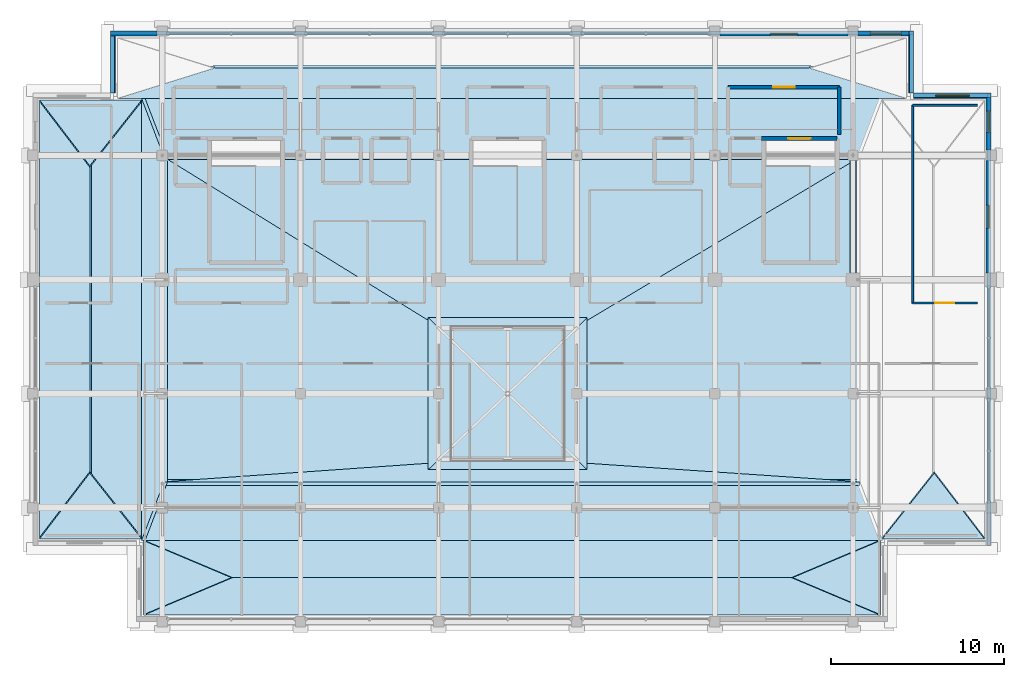
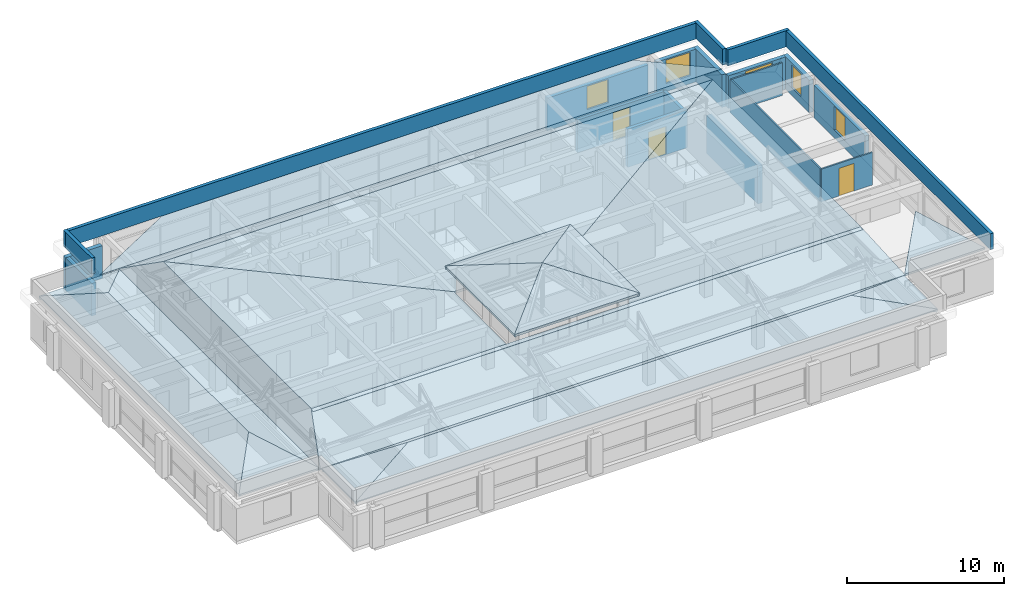
# One storey, part 37 of 39: 21 roofs, 20 walls, 5 windows, 3 doors, 8 openings.
"""IFC4 building model written with IfcOpenShell, lengths in metres."""

from ifc_helpers import new_model, si_unit, direction, frame, frame_2d, origin, place, context, subcontext, project, spatial, polyline, rectangle, outline, extrude, material, layer, layer_set, type_object, element, fill, save


model = new_model("IFC4")

# Units and contexts
model_context = context("Model", 3, precision=1e-05, world=origin(), true_north=direction((0.0, 1.0)))
body_context = subcontext(model_context, "Body", "Model", "MODEL_VIEW")
ifc_project = project(units=[si_unit("LENGTHUNIT", "METRE"), si_unit("AREAUNIT", "SQUARE_METRE"), si_unit("VOLUMEUNIT", "CUBIC_METRE"), si_unit("PLANEANGLEUNIT", "RADIAN"), si_unit("MASSUNIT", "GRAM", prefix="KILO")], contexts=[model_context])

# Site, building, storey
site_placement = place(None, origin())
site = spatial("IfcSite", under=ifc_project, at=site_placement, CompositionType="ELEMENT")
building_placement = place(site_placement, origin())
building = spatial("IfcBuilding", under=site, at=building_placement, Name="Akrevak Sports Hall", CompositionType="ELEMENT")
storey_placement = place(building_placement, frame((0.0, 0.0, 66.550048828125)))
storey = spatial("IfcBuildingStorey", under=building, at=storey_placement, Name="L17", CompositionType="ELEMENT", Elevation=66.550048828125)

# Wall, opening, window
ifc_material_1 = material(Name="Limestone Ashlar", Category="stone")
ifc_layer_1 = layer(ifc_material_1, 0.06005859375, Name="Limestone Ashlar")
ifc_material_2 = material(Name="Mineral Wool Thermal Insulation", Category="insulation")
ifc_layer_2 = layer(ifc_material_2, 0.090087890625, Name="Mineral Wool Thermal Insulation")
ifc_material_3 = material(Name="Concrete C40/50", Category="concrete")
ifc_layer_3 = layer(ifc_material_3, 0.14990234375, Name="Concrete C40/50")
ifc_layer_set_1 = layer_set([ifc_layer_1, ifc_layer_2, ifc_layer_3], Name="Limestone Ashlar / Mineral Wool Thermal Insulation / Concrete C40/50")
wall_type_1 = type_object("IfcWallType", Name="ARC-WL-EXT-300", PredefinedType="SOLIDWALL", material=ifc_layer_set_1)
wall_1_placement = place(storey_placement, frame((107.85009765625, 55.60009765625, 0.0), z_axis=(0.0, 0.0, 1.0), x_axis=(0.0, 1.0, 0.0)))
wall_1 = element("IfcWall", 1, at=wall_1_placement, inside=storey, type_object=wall_type_1, Name="Tower Stone Facade Wall L17-E13", PredefinedType="SOLIDWALL", context=body_context, shape_type="SweptSolid", body=[
    extrude(rectangle(XDim=6.5, YDim=0.300048828125, at=frame_2d((3.25, 0.0))), origin(), (0.0, 0.0, 1.0), 2.530029296875),
])
opening_1_placement = place(wall_1_placement, frame((2.574951171875, 0.0, 0.6201171875)))
opening_1 = element("IfcOpeningElement", 2, at=opening_1_placement, cuts=wall_1, Name="Opening WN-19", PredefinedType="OPENING", context=body_context, shape_type="SweptSolid", body=[
    extrude(rectangle(XDim=1.35009765625, YDim=1.800048828125, at=frame_2d((0.675048828125, 0.89990234375))), frame((0.0, 0.162109375, 0.0), z_axis=(0.0, -1.0, 0.0), x_axis=(1.0, 0.0, 0.0)), (0.0, 0.0, 1.0), 0.323974609375),
])
ifc_material_4 = material(Name="Thermally Broken Bronze Frame & Double Low-E Glass", Category="glass")
window_type_1 = type_object("IfcWindowType", Name="ARC-WIN-TW-135x180", PartitioningType="SINGLE_PANEL", PredefinedType="WINDOW", material=ifc_material_4)
window_1_placement = place(opening_1_placement, origin())
window_1 = element("IfcWindow", 3, at=window_1_placement, inside=storey, type_object=window_type_1, Name="Tower Window L17-E13", OverallHeight=1.800048828125, OverallWidth=1.35009765625, PartitioningType="SINGLE_PANEL", PredefinedType="WINDOW", context=body_context, shape_type="SweptSolid", body=[
    extrude(rectangle(XDim=1.35009765625, YDim=1.800048828125, at=frame_2d((0.675048828125, 0.89990234375))), frame((0.0, 0.030029296875, 0.0), z_axis=(0.0, -1.0, 0.0), x_axis=(1.0, 0.0, 0.0)), (0.0, 0.0, 1.0), 0.06005859375),
])
fill(opening_1, window_1)

wall_2_placement = place(storey_placement, frame((107.85009765625, 62.699951171875, 0.0), z_axis=(0.0, 0.0, 1.0), x_axis=(0.0, 1.0, 0.0)))
wall_2 = element("IfcWall", 4, at=wall_2_placement, inside=storey, type_object=wall_type_1, Name="Tower Stone Facade Wall L17-E14", PredefinedType="SOLIDWALL", context=body_context, shape_type="SweptSolid", body=[
    extrude(rectangle(XDim=3.300048828125, YDim=0.300048828125, at=frame_2d((1.64990234375, 0.0))), origin(), (0.0, 0.0, 1.0), 2.530029296875),
])
opening_2_placement = place(wall_2_placement, frame((1.02490234375, 0.0, 0.6201171875)))
opening_2 = element("IfcOpeningElement", 5, at=opening_2_placement, cuts=wall_2, Name="Opening WN-20", PredefinedType="OPENING", context=body_context, shape_type="SweptSolid", body=[
    extrude(rectangle(XDim=1.25, YDim=1.75, at=frame_2d((0.625, 0.875))), frame((0.0, 0.162109375, 0.0), z_axis=(0.0, -1.0, 0.0), x_axis=(1.0, 0.0, 0.0)), (0.0, 0.0, 1.0), 0.323974609375),
])
window_type_2 = type_object("IfcWindowType", Name="ARC-WIN-TW-125x175", PartitioningType="SINGLE_PANEL", PredefinedType="WINDOW", material=ifc_material_4)
window_2_placement = place(opening_2_placement, origin())
window_2 = element("IfcWindow", 6, at=window_2_placement, inside=storey, type_object=window_type_2, Name="Tower Window L17-E14", OverallHeight=1.75, OverallWidth=1.25, PartitioningType="SINGLE_PANEL", PredefinedType="WINDOW", context=body_context, shape_type="SweptSolid", body=[
    extrude(rectangle(XDim=1.25, YDim=1.75, at=frame_2d((0.625, 0.875))), frame((0.0, 0.030029296875, 0.0), z_axis=(0.0, -1.0, 0.0), x_axis=(1.0, 0.0, 0.0)), (0.0, 0.0, 1.0), 0.06005859375),
])
fill(opening_2, window_2)

wall_3_placement = place(storey_placement, frame((108.0, 65.85009765625, 0.0), z_axis=(0.0, 0.0, 1.0), x_axis=(-1.0, 0.0, 0.0)))
wall_3 = element("IfcWall", 7, at=wall_3_placement, inside=storey, type_object=wall_type_1, Name="Tower Stone Facade Wall L17-N15", PredefinedType="SOLIDWALL", context=body_context, shape_type="SweptSolid", body=[
    extrude(rectangle(XDim=4.5, YDim=0.300048828125, at=frame_2d((2.25, 0.0))), origin(), (0.0, 0.0, 1.0), 2.530029296875),
])
opening_3_placement = place(wall_3_placement, frame((1.27490234375, 0.0, 0.6201171875)))
opening_3 = element("IfcOpeningElement", 8, at=opening_3_placement, cuts=wall_3, Name="Opening WN-52", PredefinedType="OPENING", context=body_context, shape_type="SweptSolid", body=[
    extrude(rectangle(XDim=1.949951171875, YDim=1.81005859375, at=frame_2d((0.97509765625, 0.905029296875))), frame((0.0, 0.162109375, 0.0), z_axis=(0.0, -1.0, 0.0), x_axis=(1.0, 0.0, 0.0)), (0.0, 0.0, 1.0), 0.323974609375),
])
window_type_3 = type_object("IfcWindowType", Name="ARC-WIN-SZ-1950x1810", PartitioningType="SINGLE_PANEL", PredefinedType="WINDOW", material=ifc_material_4)
window_3_placement = place(opening_3_placement, origin())
window_3 = element("IfcWindow", 9, at=window_3_placement, inside=storey, type_object=window_type_3, Name="Tower Window L17-N15", OverallHeight=1.81005859375, OverallWidth=1.949951171875, PartitioningType="SINGLE_PANEL", PredefinedType="WINDOW", context=body_context, shape_type="SweptSolid", body=[
    extrude(rectangle(XDim=1.949951171875, YDim=1.81005859375, at=frame_2d((0.97509765625, 0.905029296875))), frame((0.0, 0.030029296875, 0.0), z_axis=(0.0, -1.0, 0.0), x_axis=(1.0, 0.0, 0.0)), (0.0, 0.0, 1.0), 0.06005859375),
])
fill(opening_3, window_3)

# Wall
wall_4_placement = place(storey_placement, frame((103.35009765625, 66.0, 0.0), z_axis=(0.0, 0.0, 1.0), x_axis=(0.0, 1.0, 0.0)))
element("IfcWall", 10, at=wall_4_placement, inside=storey, type_object=wall_type_1, Name="Tower Stone Facade Wall L17-E16", PredefinedType="SOLIDWALL", context=body_context, shape_type="SweptSolid", body=[
    extrude(rectangle(XDim=3.60009765625, YDim=0.300048828125, at=frame_2d((1.800048828125, 0.0))), origin(), (0.0, 0.0, 1.0), 2.530029296875),
])

# Wall, opening, window
wall_5_placement = place(storey_placement, frame((103.5, 69.449951171875, 0.0), z_axis=(0.0, 0.0, 1.0), x_axis=(-1.0, 0.0, 0.0)))
wall_5 = element("IfcWall", 11, at=wall_5_placement, inside=storey, type_object=wall_type_1, Name="Tower Stone Facade Wall L17-N17", PredefinedType="SOLIDWALL", context=body_context, shape_type="SweptSolid", body=[
    extrude(rectangle(XDim=3.199951171875, YDim=0.300048828125, at=frame_2d((1.60009765625, 0.0))), origin(), (0.0, 0.0, 1.0), 2.530029296875),
])
opening_4_placement = place(wall_5_placement, frame((0.699951171875, 0.0, 0.6201171875)))
opening_4 = element("IfcOpeningElement", 12, at=opening_4_placement, cuts=wall_5, Name="Opening WN-54", PredefinedType="OPENING", context=body_context, shape_type="SweptSolid", body=[
    extrude(rectangle(XDim=1.800048828125, YDim=1.81005859375, at=frame_2d((0.89990234375, 0.905029296875))), frame((0.0, 0.162109375, 0.0), z_axis=(0.0, -1.0, 0.0), x_axis=(1.0, 0.0, 0.0)), (0.0, 0.0, 1.0), 0.323974609375),
])
window_type_4 = type_object("IfcWindowType", Name="ARC-WIN-SZ-1800x1810", PartitioningType="SINGLE_PANEL", PredefinedType="WINDOW", material=ifc_material_4)
window_4_placement = place(opening_4_placement, origin())
window_4 = element("IfcWindow", 13, at=window_4_placement, inside=storey, type_object=window_type_4, Name="Tower Window L17-N17", OverallHeight=1.81005859375, OverallWidth=1.800048828125, PartitioningType="SINGLE_PANEL", PredefinedType="WINDOW", context=body_context, shape_type="SweptSolid", body=[
    extrude(rectangle(XDim=1.800048828125, YDim=1.81005859375, at=frame_2d((0.89990234375, 0.905029296875))), frame((0.0, 0.030029296875, 0.0), z_axis=(0.0, -1.0, 0.0), x_axis=(1.0, 0.0, 0.0)), (0.0, 0.0, 1.0), 0.06005859375),
])
fill(opening_4, window_4)

wall_6_placement = place(storey_placement, frame((99.699951171875, 69.449951171875, 0.0), z_axis=(0.0, 0.0, 1.0), x_axis=(-1.0, 0.0, 0.0)))
wall_6 = element("IfcWall", 14, at=wall_6_placement, inside=storey, type_object=wall_type_1, Name="Tower Stone Facade Wall L17-N18", PredefinedType="SOLIDWALL", context=body_context, shape_type="SweptSolid", body=[
    extrude(rectangle(XDim=7.39990234375, YDim=0.300048828125, at=frame_2d((3.699951171875, 0.0))), origin(), (0.0, 0.0, 1.0), 2.530029296875),
])
opening_5_placement = place(wall_6_placement, frame((2.89990234375, 0.0, 0.6201171875)))
opening_5 = element("IfcOpeningElement", 15, at=opening_5_placement, cuts=wall_6, Name="Opening WN-57", PredefinedType="OPENING", context=body_context, shape_type="SweptSolid", body=[
    extrude(rectangle(XDim=1.60009765625, YDim=1.81005859375, at=frame_2d((0.800048828125, 0.905029296875))), frame((0.0, 0.162109375, 0.0), z_axis=(0.0, -1.0, 0.0), x_axis=(1.0, 0.0, 0.0)), (0.0, 0.0, 1.0), 0.323974609375),
])
window_type_5 = type_object("IfcWindowType", Name="ARC-WIN-SZ-1600x1810", PartitioningType="SINGLE_PANEL", PredefinedType="WINDOW", material=ifc_material_4)
window_5_placement = place(opening_5_placement, origin())
window_5 = element("IfcWindow", 16, at=window_5_placement, inside=storey, type_object=window_type_5, Name="Tower Window L17-N18", OverallHeight=1.81005859375, OverallWidth=1.60009765625, PartitioningType="SINGLE_PANEL", PredefinedType="WINDOW", context=body_context, shape_type="SweptSolid", body=[
    extrude(rectangle(XDim=1.60009765625, YDim=1.81005859375, at=frame_2d((0.800048828125, 0.905029296875))), frame((0.0, 0.030029296875, 0.0), z_axis=(0.0, -1.0, 0.0), x_axis=(1.0, 0.0, 0.0)), (0.0, 0.0, 1.0), 0.06005859375),
])
fill(opening_5, window_5)

# Walls
wall_7_placement = place(storey_placement, frame((59.699951171875, 69.449951171875, 0.0), z_axis=(0.0, 0.0, 1.0), x_axis=(-1.0, 0.0, 0.0)))
element("IfcWall", 17, at=wall_7_placement, inside=storey, type_object=wall_type_1, Name="Tower Stone Facade Wall L17-N23", PredefinedType="SOLIDWALL", context=body_context, shape_type="SweptSolid", body=[
    extrude(rectangle(XDim=2.699951171875, YDim=0.300048828125, at=frame_2d((1.35009765625, 0.0))), origin(), (0.0, 0.0, 1.0), 2.530029296875),
])
wall_8_placement = place(storey_placement, frame((57.14990234375, 69.60009765625, 0.0), z_axis=(0.0, 0.0, 1.0), x_axis=(0.0, -1.0, 0.0)))
element("IfcWall", 18, at=wall_8_placement, inside=storey, type_object=wall_type_1, Name="Tower Stone Facade Wall L17-W24", PredefinedType="SOLIDWALL", context=body_context, shape_type="SweptSolid", body=[
    extrude(rectangle(XDim=3.60009765625, YDim=0.300048828125, at=frame_2d((1.800048828125, 0.0))), origin(), (0.0, 0.0, 1.0), 2.530029296875),
])
ifc_layer_4 = layer(ifc_material_1, 0.050048828125, Name="Limestone Ashlar")
ifc_layer_5 = layer(ifc_material_2, 0.0400390625, Name="Mineral Wool Thermal Insulation")
ifc_layer_6 = layer(ifc_material_3, 0.14990234375, Name="Concrete C40/50")
ifc_layer_set_2 = layer_set([ifc_layer_4, ifc_layer_5, ifc_layer_6], Name="Limestone Ashlar / Mineral Wool Thermal Insulation / Concrete C40/50")
wall_type_2 = type_object("IfcWallType", Name="ARC-WL-PAR-240", PredefinedType="PARAPET", material=ifc_layer_set_2)
wall_9_placement = place(storey_placement, frame((107.8798828125, 39.800048828125, 3.25), z_axis=(0.0, 0.0, 1.0), x_axis=(0.0, 1.0, 0.0)))
element("IfcWall", 19, at=wall_9_placement, inside=storey, type_object=wall_type_2, Name="Crown Main Roof Balustrade Parapet 4", PredefinedType="PARAPET", context=body_context, shape_type="SweptSolid", body=[
    extrude(rectangle(XDim=26.199951171875, YDim=0.239990234375, at=frame_2d((13.10009765625, 0.0))), origin(), (0.0, 0.0, 1.0), 1.25),
])
wall_10_placement = place(storey_placement, frame((108.0, 65.8798828125, 3.25), z_axis=(0.0, 0.0, 1.0), x_axis=(-1.0, 0.0, 0.0)))
element("IfcWall", 20, at=wall_10_placement, inside=storey, type_object=wall_type_2, Name="Crown Main Roof Balustrade Parapet 5", PredefinedType="PARAPET", context=body_context, shape_type="SweptSolid", body=[
    extrude(rectangle(XDim=4.5, YDim=0.239990234375, at=frame_2d((2.25, 0.0))), origin(), (0.0, 0.0, 1.0), 1.25),
])
wall_11_placement = place(storey_placement, frame((103.3798828125, 66.0, 3.25), z_axis=(0.0, 0.0, 1.0), x_axis=(0.0, 1.0, 0.0)))
element("IfcWall", 21, at=wall_11_placement, inside=storey, type_object=wall_type_2, Name="Crown Main Roof Balustrade Parapet 6", PredefinedType="PARAPET", context=body_context, shape_type="SweptSolid", body=[
    extrude(rectangle(XDim=3.60009765625, YDim=0.239990234375, at=frame_2d((1.800048828125, 0.0))), origin(), (0.0, 0.0, 1.0), 1.25),
])
wall_12_placement = place(storey_placement, frame((103.5, 69.47998046875, 3.25), z_axis=(0.0, 0.0, 1.0), x_axis=(-1.0, 0.0, 0.0)))
element("IfcWall", 22, at=wall_12_placement, inside=storey, type_object=wall_type_2, Name="Crown Main Roof Balustrade Parapet 7", PredefinedType="PARAPET", context=body_context, shape_type="SweptSolid", body=[
    extrude(rectangle(XDim=46.5, YDim=0.239990234375, at=frame_2d((23.25, 0.0))), origin(), (0.0, 0.0, 1.0), 1.25),
])
wall_13_placement = place(storey_placement, frame((57.1201171875, 69.60009765625, 3.25), z_axis=(0.0, 0.0, 1.0), x_axis=(0.0, -1.0, 0.0)))
element("IfcWall", 23, at=wall_13_placement, inside=storey, type_object=wall_type_2, Name="Crown Main Roof Balustrade Parapet 8", PredefinedType="PARAPET", context=body_context, shape_type="SweptSolid", body=[
    extrude(rectangle(XDim=3.60009765625, YDim=0.239990234375, at=frame_2d((1.800048828125, 0.0))), origin(), (0.0, 0.0, 1.0), 1.25),
])

# Wall, opening, door
ifc_material_5 = material(Name="Lightweight Office Partition", Category="gypsum")
ifc_layer_7 = layer(ifc_material_5, 0.110107421875, Name="Lightweight Office Partition")
ifc_layer_set_3 = layer_set([ifc_layer_7], Name="Lightweight Office Partition")
wall_type_3 = type_object("IfcWallType", Name="ARC-WL-PRT-110", PredefinedType="PARTITIONING", material=ifc_layer_set_3)
wall_14_placement = place(storey_placement, frame((103.449951171875, 53.85009765625, 0.0), z_axis=(0.0, 0.0, 1.0), x_axis=(1.0, 0.0, 0.0)))
wall_14 = element("IfcWall", 24, at=wall_14_placement, inside=storey, type_object=wall_type_3, Name="Interior Partition Athletic Medical Advisory Office (L17) (S)", PredefinedType="PARTITIONING", context=body_context, shape_type="SweptSolid", body=[
    extrude(rectangle(XDim=3.75, YDim=0.110107421875, at=frame_2d((1.875, 0.0))), origin(), (0.0, 0.0, 1.0), 2.530029296875),
])
opening_6_placement = place(wall_14_placement, frame((1.300048828125, 0.0, 0.0)))
opening_6 = element("IfcOpeningElement", 25, at=opening_6_placement, cuts=wall_14, Name="Opening ID-04", PredefinedType="OPENING", context=body_context, shape_type="SweptSolid", body=[
    extrude(rectangle(XDim=1.10009765625, YDim=2.14990234375, at=frame_2d((0.550048828125, 1.074951171875))), frame((0.0, 0.06689453125, 0.0), z_axis=(0.0, -1.0, 0.0), x_axis=(1.0, 0.0, 0.0)), (0.0, 0.0, 1.0), 0.134033203125),
])
ifc_material_6 = material(Name="Hardwood Oak Acoustic Leaf", Category="wood")
door_type_1 = type_object("IfcDoorType", Name="ARC-DR-OFF-110x215", OperationType="NOTDEFINED", PredefinedType="DOOR", material=ifc_material_6)
door_1_placement = place(opening_6_placement, origin())
door_1 = element("IfcDoor", 26, at=door_1_placement, inside=storey, type_object=door_type_1, Name="Door to Athletic Medical Advisory Office (L17)", OperationType="SINGLE_SWING_LEFT", OverallHeight=2.14990234375, OverallWidth=1.10009765625, PredefinedType="DOOR", context=body_context, shape_type="SweptSolid", body=[
    extrude(rectangle(XDim=1.10009765625, YDim=2.14990234375, at=frame_2d((0.550048828125, 1.074951171875))), frame((0.0, 0.02490234375, 0.0), z_axis=(0.0, -1.0, 0.0), x_axis=(1.0, 0.0, 0.0)), (0.0, 0.0, 1.0), 0.050048828125),
])
fill(opening_6, door_1)

# Walls
wall_15_placement = place(storey_placement, frame((103.449951171875, 65.300048828125, 0.0), z_axis=(0.0, 0.0, 1.0), x_axis=(1.0, 0.0, 0.0)))
element("IfcWall", 27, at=wall_15_placement, inside=storey, type_object=wall_type_3, Name="Interior Partition Athletic Medical Advisory Office (L17) (N)", PredefinedType="PARTITIONING", context=body_context, shape_type="SweptSolid", body=[
    extrude(rectangle(XDim=3.75, YDim=0.110107421875, at=frame_2d((1.875, 0.0))), origin(), (0.0, 0.0, 1.0), 2.530029296875),
])
wall_16_placement = place(storey_placement, frame((103.449951171875, 53.85009765625, 0.0), z_axis=(0.0, 0.0, 1.0), x_axis=(0.0, 1.0, 0.0)))
element("IfcWall", 28, at=wall_16_placement, inside=storey, type_object=wall_type_3, Name="Interior Partition Athletic Medical Advisory Office (L17) (W)", PredefinedType="PARTITIONING", context=body_context, shape_type="SweptSolid", body=[
    extrude(rectangle(XDim=11.449951171875, YDim=0.110107421875, at=frame_2d((5.72509765625, 0.0))), origin(), (0.0, 0.0, 1.0), 2.530029296875),
])

# Wall, opening, door
ifc_layer_8 = layer(ifc_material_3, 0.219970703125, Name="Concrete C40/50")
ifc_layer_set_4 = layer_set([ifc_layer_8], Name="Concrete C40/50")
wall_type_4 = type_object("IfcWallType", Name="ARC-WL-PRT-220", PredefinedType="PARTITIONING", material=ifc_layer_set_4)
wall_17_placement = place(storey_placement, frame((92.75, 66.35009765625, 0.0), z_axis=(0.0, 0.0, 1.0), x_axis=(1.0, 0.0, 0.0)))
wall_17 = element("IfcWall", 29, at=wall_17_placement, inside=storey, type_object=wall_type_4, Name="Interior Partition Firefighting Lobby East L17 (N)", PredefinedType="PARTITIONING", context=body_context, shape_type="SweptSolid", body=[
    extrude(rectangle(XDim=6.449951171875, YDim=0.219970703125, at=frame_2d((3.22509765625, 0.0))), origin(), (0.0, 0.0, 1.0), 2.530029296875),
])
opening_7_placement = place(wall_17_placement, frame((2.625, 0.0, 0.0)))
opening_7 = element("IfcOpeningElement", 30, at=opening_7_placement, cuts=wall_17, Name="Opening FD-01", PredefinedType="OPENING", context=body_context, shape_type="SweptSolid", body=[
    extrude(rectangle(XDim=1.25, YDim=2.199951171875, at=frame_2d((0.625, 1.10009765625))), frame((0.0, 0.1220703125, 0.0), z_axis=(0.0, -1.0, 0.0), x_axis=(1.0, 0.0, 0.0)), (0.0, 0.0, 1.0), 0.243896484375),
])
ifc_material_7 = material(Name="Fire-Rated Galvanized Door Steel", Category="steel")
door_type_2 = type_object("IfcDoorType", Name="ARC-DR-FFL-125x220", OperationType="NOTDEFINED", PredefinedType="DOOR", material=ifc_material_7)
door_2_placement = place(opening_7_placement, frame((1.25, 0.0, 0.0), z_axis=(0.0, 0.0, 1.0), x_axis=(-1.0, 0.0, 0.0)))
door_2 = element("IfcDoor", 31, at=door_2_placement, inside=storey, type_object=door_type_2, Name="Door to Firefighting Lobby East L17", OperationType="SINGLE_SWING_LEFT", OverallHeight=2.199951171875, OverallWidth=1.25, PredefinedType="DOOR", context=body_context, shape_type="SweptSolid", body=[
    extrude(rectangle(XDim=1.25, YDim=2.199951171875, at=frame_2d((0.625, 1.10009765625))), frame((0.0, 0.02490234375, 0.0), z_axis=(0.0, -1.0, 0.0), x_axis=(1.0, 0.0, 0.0)), (0.0, 0.0, 1.0), 0.050048828125),
])
fill(opening_7, door_2)

# Walls
wall_18_placement = place(storey_placement, frame((99.199951171875, 63.60009765625, 0.0), z_axis=(0.0, 0.0, 1.0), x_axis=(0.0, 1.0, 0.0)))
element("IfcWall", 32, at=wall_18_placement, inside=storey, type_object=wall_type_4, Name="Interior Partition Firefighting Lobby East L17 (E)", PredefinedType="PARTITIONING", context=body_context, shape_type="SweptSolid", body=[
    extrude(rectangle(XDim=2.75, YDim=0.219970703125, at=frame_2d((1.375, 0.0))), origin(), (0.0, 0.0, 1.0), 2.530029296875),
])
ifc_material_8 = material(Name="Concrete C50/60", Category="concrete")
ifc_layer_9 = layer(ifc_material_8, 0.35009765625, Name="Concrete C50/60")
ifc_layer_set_5 = layer_set([ifc_layer_9], Name="Concrete C50/60")
wall_type_5 = type_object("IfcWallType", Name="STR-WL-CORE-350", PredefinedType="SHEAR", material=ifc_layer_set_5)
wall_19_placement = place(storey_placement, frame((100.0, 55.60009765625, 0.0), z_axis=(0.0, 0.0, 1.0), x_axis=(0.0, 1.0, 0.0)))
element("IfcWall", 33, at=wall_19_placement, inside=storey, type_object=wall_type_5, Name="Reinforced Concrete Shear Wall SW-E2 (L17)", PredefinedType="SHEAR", context=body_context, shape_type="SweptSolid", body=[
    extrude(rectangle(XDim=6.5, YDim=0.35009765625, at=frame_2d((3.25, 0.0))), origin(), (0.0, 0.0, 1.0), 2.949951171875),
])

# Wall, opening, door
ifc_layer_10 = layer(ifc_material_8, 0.25, Name="Concrete C50/60")
ifc_layer_set_6 = layer_set([ifc_layer_10], Name="Concrete C50/60")
wall_type_6 = type_object("IfcWallType", Name="STR-WL-STAIR-250", PredefinedType="SHEAR", material=ifc_layer_set_6)
wall_20_placement = place(storey_placement, frame((99.074951171875, 63.375, 0.0), z_axis=(0.0, 0.0, 1.0), x_axis=(-1.0, 0.0, 0.0)))
wall_20 = element("IfcWall", 34, at=wall_20_placement, inside=storey, type_object=wall_type_6, Name="Stair Core ST2 Shear Wall N (L17)", PredefinedType="SHEAR", context=body_context, shape_type="SweptSolid", body=[
    extrude(rectangle(XDim=4.375, YDim=0.25, at=frame_2d((2.1875, 0.0))), origin(), (0.0, 0.0, 1.0), 2.949951171875),
])
opening_8_placement = place(wall_20_placement, frame((1.53759765625, 0.0, 0.0)))
opening_8 = element("IfcOpeningElement", 35, at=opening_8_placement, cuts=wall_20, Name="Opening SD-01", PredefinedType="OPENING", context=body_context, shape_type="SweptSolid", body=[
    extrude(rectangle(XDim=1.300048828125, YDim=2.199951171875, at=frame_2d((0.64990234375, 1.10009765625))), frame((0.0, 0.136962890625, 0.0), z_axis=(0.0, -1.0, 0.0), x_axis=(1.0, 0.0, 0.0)), (0.0, 0.0, 1.0), 0.27392578125),
])
door_type_3 = type_object("IfcDoorType", Name="ARC-DR-STAIR-130x220", OperationType="NOTDEFINED", PredefinedType="DOOR", material=ifc_material_7)
door_3_placement = place(opening_8_placement, origin())
door_3 = element("IfcDoor", 36, at=door_3_placement, inside=storey, type_object=door_type_3, Name="Exit Stair ST2 Door (L17)", OperationType="SINGLE_SWING_RIGHT", OverallHeight=2.199951171875, OverallWidth=1.300048828125, PredefinedType="DOOR", context=body_context, shape_type="SweptSolid", body=[
    extrude(rectangle(XDim=1.300048828125, YDim=2.199951171875, at=frame_2d((0.64990234375, 1.10009765625))), frame((0.0, 0.02490234375, 0.0), z_axis=(0.0, -1.0, 0.0), x_axis=(1.0, 0.0, 0.0)), (0.0, 0.0, 1.0), 0.050048828125),
])
fill(opening_8, door_3)

# Roofs
ifc_material_9 = material(Name="Patinated Copper-Zinc Dome on Concrete C40/50", Category="aluminium")
ifc_layer_11 = layer(ifc_material_9, 0.260009765625, Name="Patinated Copper-Zinc Dome on Concrete C40/50")
ifc_layer_set_7 = layer_set([ifc_layer_11], Name="Patinated Copper-Zinc Dome on Concrete C40/50")
roof_type_1 = type_object("IfcRoofType", Name="ARC-ROOF-DOME", PredefinedType="DOME_ROOF", material=ifc_layer_set_7)
roof_1_placement = place(storey_placement, frame((75.39990234375, 44.199951171875, 5.349853515625), z_axis=(0.0, -0.283347253261, 0.959017379441), x_axis=(1.0, 0.0, 0.0)))
element("IfcRoof", 37, at=roof_1_placement, inside=storey, type_object=roof_type_1, Name="Crown Beaux-Arts Cupola Dome Shell 1", PredefinedType="DOME_ROOF", context=body_context, shape_type="SweptSolid", body=[
    extrude(outline(polyline([(0.0, 0.0), (9.2001953125, 0.0), (4.60009765625, 4.588182215155242), (0.0, 0.0)])), origin(), (0.0, 0.0, -1.0), 0.260009765625),
])
roof_2_placement = place(storey_placement, frame((84.60009765625, 53.0, 5.349853515625), z_axis=(0.0, 0.283361713187, 0.959013107053), x_axis=(-1.0, 0.0, 0.0)))
element("IfcRoof", 38, at=roof_2_placement, inside=storey, type_object=roof_type_1, Name="Crown Beaux-Arts Cupola Dome Shell 2", PredefinedType="DOME_ROOF", context=body_context, shape_type="SweptSolid", body=[
    extrude(outline(polyline([(0.0, 0.0), (9.2001953125, 0.0), (4.60009765625, 4.587948080574357), (0.0, 0.0)])), origin(), (0.0, 0.0, -1.0), 0.260009765625),
])
roof_3_placement = place(storey_placement, frame((84.60009765625, 44.199951171875, 5.349853515625), z_axis=(0.271961117846, 0.0, 0.962308240836), x_axis=(0.0, 1.0, 0.0)))
element("IfcRoof", 39, at=roof_3_placement, inside=storey, type_object=roof_type_1, Name="Crown Beaux-Arts Cupola Dome Shell 3", PredefinedType="DOME_ROOF", context=body_context, shape_type="SweptSolid", body=[
    extrude(outline(polyline([(0.0, 0.0), (8.800048828125, 0.0), (4.400146484375, 4.780274615808795), (0.0, 0.0)])), origin(), (0.0, 0.0, -1.0), 0.260009765625),
])
roof_4_placement = place(storey_placement, frame((75.39990234375, 53.0, 5.349853515625), z_axis=(-0.271961117846, 0.0, 0.962308240836), x_axis=(0.0, -1.0, 0.0)))
element("IfcRoof", 40, at=roof_4_placement, inside=storey, type_object=roof_type_1, Name="Crown Beaux-Arts Cupola Dome Shell 4", PredefinedType="DOME_ROOF", context=body_context, shape_type="SweptSolid", body=[
    extrude(outline(polyline([(0.0, 0.0), (8.800048828125, 0.0), (4.39990234375, 4.780274615808795), (0.0, 0.0)])), origin(), (0.0, 0.0, -1.0), 0.260009765625),
])
ifc_material_10 = material(Name="Standing Seam Slate-Zinc Roofing", Category="aluminium")
ifc_layer_12 = layer(ifc_material_10, 0.239990234375, Name="Standing Seam Slate-Zinc Roofing")
ifc_layer_set_8 = layer_set([ifc_layer_12], Name="Standing Seam Slate-Zinc Roofing")
roof_type_2 = type_object("IfcRoofType", Name="ARC-ROOF-MANSARD", PredefinedType="MANSARD_ROOF", material=ifc_layer_set_8)
for number, where, z_axis, x_axis, name in (
    (41, (58.800048828125, 40.10009765625, 3.25), (0.0, -0.534454171484, 0.845197455381), (1.0, 0.0, 0.0), "Tower Crown Continuous Mansard Roof S"),
    (42, (101.699951171875, 65.699951171875, 3.25), (0.0, 0.534454171484, 0.845197455381), (-1.0, 0.0, 0.0), "Tower Crown Continuous Mansard Roof N"),
):
    element("IfcRoof", number, at=place(storey_placement, frame(where, z_axis=z_axis, x_axis=x_axis)), inside=storey, type_object=roof_type_2, Name=name, PredefinedType="MANSARD_ROOF", context=body_context, shape_type="SweptSolid", body=[
        extrude(outline(polyline([(0.0, 0.0), (42.89990234375, 0.0), (41.599853515625, 4.02261308538349), (1.300048828125, 4.02261308538349), (0.0, 0.0)])), origin(), (0.0, 0.0, -1.0), 0.239990234375),
    ])
roof_5_placement = place(storey_placement, frame((58.800048828125, 65.699951171875, 3.25), z_axis=(-0.855712971564, 0.0, 0.517450780556), x_axis=(0.0, -1.0, 0.0)))
element("IfcRoof", 43, at=roof_5_placement, inside=storey, type_object=roof_type_2, Name="Tower Crown Continuous Mansard Roof W", PredefinedType="MANSARD_ROOF", context=body_context, shape_type="SweptSolid", body=[
    extrude(outline(polyline([(0.0, 0.0), (25.599853515625, 0.0), (22.199951171875, 2.5124106040157783), (3.39990234375, 2.5124106040157783), (0.0, 0.0)])), origin(), (0.0, 0.0, -1.0), 0.239990234375),
])
roof_6_placement = place(storey_placement, frame((60.10009765625, 43.5, 5.39990234375), z_axis=(0.0, 0.870954536302, 0.491363608436), x_axis=(1.0, 0.0, 0.0)))
element("IfcRoof", 44, at=roof_6_placement, inside=storey, type_object=roof_type_2, Name="Tower Crown Inner Mansard Court Slope S", PredefinedType="MANSARD_ROOF", context=body_context, shape_type="SweptSolid", body=[
    extrude(outline(polyline([(0.0, 0.0), (40.2998046875, 0.0), (24.099853515625, 2.2388667727186067), (15.699951171875, 2.2388667727186067), (0.0, 0.0)])), origin(), (0.0, 0.0, -1.0), 0.239990234375),
])
roof_7_placement = place(storey_placement, frame((100.39990234375, 62.300048828125, 5.39990234375), z_axis=(0.0, -0.197084082662, 0.98038658924), x_axis=(-1.0, 0.0, 0.0)))
element("IfcRoof", 45, at=roof_7_placement, inside=storey, type_object=roof_type_2, Name="Tower Crown Inner Mansard Court Slope N", PredefinedType="MANSARD_ROOF", context=body_context, shape_type="SweptSolid", body=[
    extrude(outline(polyline([(0.0, 0.0), (40.2998046875, 0.0), (24.599853515625, 9.894006383131954), (16.199951171875, 9.894006383131954), (0.0, 0.0)])), origin(), (0.0, 0.0, -1.0), 0.239990234375),
])
roof_8_placement = place(storey_placement, frame((100.39990234375, 43.5, 5.39990234375), z_axis=(-0.119505114072, 0.0, 0.992833585104), x_axis=(0.0, 1.0, 0.0)))
element("IfcRoof", 46, at=roof_8_placement, inside=storey, type_object=roof_type_2, Name="Tower Crown Inner Mansard Court Slope E", PredefinedType="MANSARD_ROOF", context=body_context, shape_type="SweptSolid", body=[
    extrude(outline(polyline([(0.0, 0.0), (18.800048828125, 0.0), (9.10009765625, 16.316884737713597), (1.10009765625, 16.316884737713597), (0.0, 0.0)])), origin(), (0.0, 0.0, -1.0), 0.239990234375),
])
roof_9_placement = place(storey_placement, frame((60.10009765625, 62.300048828125, 5.39990234375), z_axis=(0.123254082665, 0.0, 0.992375146357), x_axis=(0.0, -1.0, 0.0)))
element("IfcRoof", 47, at=roof_9_placement, inside=storey, type_object=roof_type_2, Name="Tower Crown Inner Mansard Court Slope W", PredefinedType="MANSARD_ROOF", context=body_context, shape_type="SweptSolid", body=[
    extrude(outline(polyline([(0.0, 0.0), (18.800048828125, 0.0), (17.699951171875, 15.820580784912918), (9.699951171875, 15.820580784912918), (0.0, 0.0)])), origin(), (0.0, 0.0, -1.0), 0.239990234375),
])
roof_10_placement = place(storey_placement, frame((52.89990234375, 65.60009765625, 3.25), z_axis=(-0.47137030175, 0.0, 0.881935393682), x_axis=(0.0, -1.0, 0.0)))
element("IfcRoof", 48, at=roof_10_placement, inside=storey, type_object=roof_type_2, Name="Tower West Wing Mansard W Slope", PredefinedType="MANSARD_ROOF", context=body_context, shape_type="SweptSolid", body=[
    extrude(outline(polyline([(0.0, 0.0), (25.400146484375, 0.0), (21.60009765625, 3.288388815271752), (3.800048828125, 3.288388815271752), (0.0, 0.0)])), origin(), (0.0, 0.0, -1.0), 0.239990234375),
])
roof_11_placement = place(storey_placement, frame((58.800048828125, 40.199951171875, 3.25), z_axis=(0.459031465094, 0.0, 0.888420009935), x_axis=(0.0, 1.0, 0.0)))
element("IfcRoof", 49, at=roof_11_placement, inside=storey, type_object=roof_type_2, Name="Tower West Wing Mansard E Slope", PredefinedType="MANSARD_ROOF", context=body_context, shape_type="SweptSolid", body=[
    extrude(outline(polyline([(0.0, 0.0), (25.400146484375, 0.0), (21.60009765625, 3.376781214347724), (3.800048828125, 3.376781214347724), (0.0, 0.0)])), origin(), (0.0, 0.0, -1.0), 0.239990234375),
])
roof_12_placement = place(storey_placement, frame((52.89990234375, 40.199951171875, 3.25), z_axis=(0.0, -0.377689894655, 0.925932148419), x_axis=(1.0, 0.0, 0.0)))
element("IfcRoof", 50, at=roof_12_placement, inside=storey, type_object=roof_type_2, Name="Tower West Wing Mansard S Slope", PredefinedType="MANSARD_ROOF", context=body_context, shape_type="SweptSolid", body=[
    extrude(outline(polyline([(0.0, 0.0), (5.900146484375, 0.0), (2.900146484375, 4.104025154126845), (0.0, 0.0)])), origin(), (0.0, 0.0, -1.0), 0.239990234375),
])
for number, where, z_axis, x_axis, name in (
    (51, (58.800048828125, 65.60009765625, 3.25), (0.0, 0.377689894655, 0.925932148419), (-1.0, 0.0, 0.0), "Tower West Wing Mansard N Slope"),
    (52, (101.699951171875, 40.199951171875, 3.25), (0.0, -0.377689894655, 0.925932148419), (1.0, 0.0, 0.0), "Tower East Wing Mansard S Slope"),
):
    element("IfcRoof", number, at=place(storey_placement, frame(where, z_axis=z_axis, x_axis=x_axis)), inside=storey, type_object=roof_type_2, Name=name, PredefinedType="MANSARD_ROOF", context=body_context, shape_type="SweptSolid", body=[
        extrude(outline(polyline([(0.0, 0.0), (5.900146484375, 0.0), (3.0, 4.104025154126845), (0.0, 0.0)])), origin(), (0.0, 0.0, -1.0), 0.239990234375),
    ])
roof_13_placement = place(storey_placement, frame((58.89990234375, 35.800048828125, 3.25), z_axis=(0.0, -0.584831176003, 0.81115503794), x_axis=(1.0, 0.0, 0.0)))
element("IfcRoof", 53, at=roof_13_placement, inside=storey, type_object=roof_type_2, Name="Tower South Frontispiece Mansard S Slope", PredefinedType="MANSARD_ROOF", context=body_context, shape_type="SweptSolid", body=[
    extrude(outline(polyline([(0.0, 0.0), (42.7001953125, 0.0), (37.60009765625, 2.650420996225586), (5.10009765625, 2.650420996225586), (0.0, 0.0)])), origin(), (0.0, 0.0, -1.0), 0.239990234375),
])
roof_14_placement = place(storey_placement, frame((101.60009765625, 40.10009765625, 3.25), z_axis=(0.0, 0.584787480619, 0.811186539898), x_axis=(-1.0, 0.0, 0.0)))
element("IfcRoof", 54, at=roof_14_placement, inside=storey, type_object=roof_type_2, Name="Tower South Frontispiece Mansard N Slope", PredefinedType="MANSARD_ROOF", context=body_context, shape_type="SweptSolid", body=[
    extrude(outline(polyline([(0.0, 0.0), (42.7001953125, 0.0), (37.60009765625, 2.650619035969118), (5.10009765625, 2.650619035969118), (0.0, 0.0)])), origin(), (0.0, 0.0, -1.0), 0.239990234375),
])
roof_15_placement = place(storey_placement, frame((101.60009765625, 35.800048828125, 3.25), z_axis=(0.290791618827, 0.0, 0.956786410031), x_axis=(0.0, 1.0, 0.0)))
element("IfcRoof", 55, at=roof_15_placement, inside=storey, type_object=roof_type_2, Name="Tower South Frontispiece Mansard E Slope", PredefinedType="MANSARD_ROOF", context=body_context, shape_type="SweptSolid", body=[
    extrude(outline(polyline([(0.0, 0.0), (4.300048828125, 0.0), (2.14990234375, 5.330445335322222), (0.0, 0.0)])), origin(), (0.0, 0.0, -1.0), 0.239990234375),
])
roof_16_placement = place(storey_placement, frame((58.89990234375, 40.10009765625, 3.25), z_axis=(-0.290791618827, 0.0, 0.956786410031), x_axis=(0.0, -1.0, 0.0)))
element("IfcRoof", 56, at=roof_16_placement, inside=storey, type_object=roof_type_2, Name="Tower South Frontispiece Mansard W Slope", PredefinedType="MANSARD_ROOF", context=body_context, shape_type="SweptSolid", body=[
    extrude(outline(polyline([(0.0, 0.0), (4.300048828125, 0.0), (2.150146484375, 5.330445335322222), (0.0, 0.0)])), origin(), (0.0, 0.0, -1.0), 0.239990234375),
])
roof_17_placement = place(storey_placement, frame((57.39990234375, 65.699951171875, 3.25), z_axis=(0.0, -0.663046949769, 0.748577813191), x_axis=(1.0, 0.0, 0.0)))
element("IfcRoof", 57, at=roof_17_placement, inside=storey, type_object=roof_type_2, Name="Tower North Frontispiece Mansard S Slope", PredefinedType="MANSARD_ROOF", context=body_context, shape_type="SweptSolid", body=[
    extrude(outline(polyline([(0.0, 0.0), (45.7001953125, 0.0), (40.10009765625, 2.337766320565785), (5.60009765625, 2.337766320565785), (0.0, 0.0)])), origin(), (0.0, 0.0, -1.0), 0.239990234375),
])

save(model, "model.ifc")
